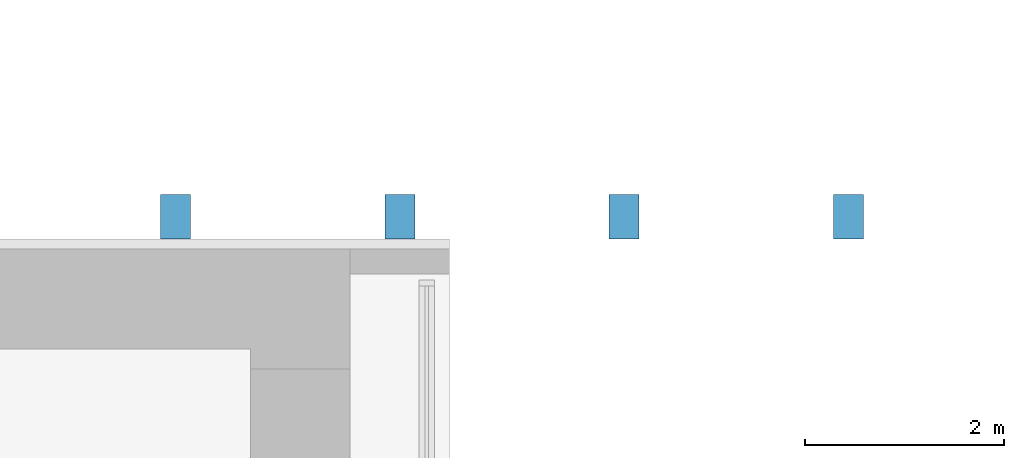
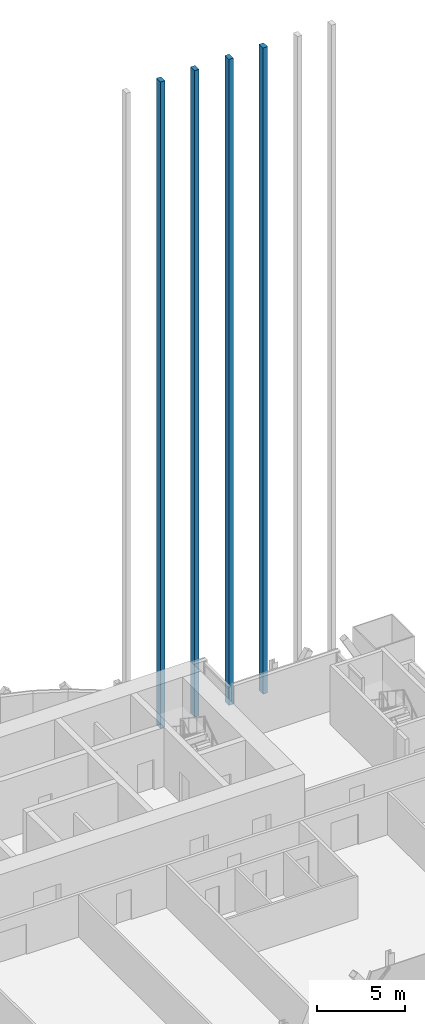
# One storey, part 18 of 29: 4 members, 1 element without a shape of its own.
"""IFC4 building model written with IfcOpenShell, lengths in metres."""

from ifc_helpers import new_model, si_unit, direction, frame, origin, origin_2d, place, context, subcontext, project, spatial, rectangle, extrude, material, material_profile, profile_set, type_object, element, aggregate, save


model = new_model("IFC4")

# Units and contexts
model_context = context("Model", 3, precision=1e-05, world=origin(), true_north=direction((0.0, 1.0)))
body_context = subcontext(model_context, "Body", "Model", "MODEL_VIEW")
ifc_project = project(units=[si_unit("LENGTHUNIT", "METRE"), si_unit("AREAUNIT", "SQUARE_METRE"), si_unit("VOLUMEUNIT", "CUBIC_METRE"), si_unit("PLANEANGLEUNIT", "RADIAN"), si_unit("MASSUNIT", "GRAM", prefix="KILO")], contexts=[model_context])

# Site, building, storey
site_placement = place(None, origin())
site = spatial("IfcSite", under=ifc_project, at=site_placement, CompositionType="ELEMENT")
building_placement = place(site_placement, origin())
building = spatial("IfcBuilding", under=site, at=building_placement, Name="Bicima Exchange Tower", CompositionType="ELEMENT")
storey_placement = place(building_placement, frame((0.0, 0.0, 190.89990234375)))
storey = spatial("IfcBuildingStorey", under=building, at=storey_placement, Name="L42", CompositionType="ELEMENT", Elevation=190.89990234375)

# Curtain wall, members
ifc_material = material(Name="Anodised bronze aluminium", Category="aluminium")
curtain_wall_type = type_object("IfcCurtainWallType", Name="Rear blade screen", PredefinedType="NOTDEFINED", material=ifc_material)
curtain_wall_placement = place(storey_placement, origin())
curtain_wall = element("IfcCurtainWall", 1, at=curtain_wall_placement, inside=storey, type_object=curtain_wall_type, Name="Rear blade screen L42-L52 E", PredefinedType="NOTDEFINED")
ifc_material_profile = material_profile(ifc_material, rectangle(XDim=0.449951171875, YDim=0.300048828125, at=origin_2d()))
ifc_profile_set = profile_set([ifc_material_profile], Name="Anodised bronze aluminium")
member_type = type_object("IfcMemberType", Name="Rear blade fin 450 x 300", PredefinedType="USERDEFINED", material=ifc_profile_set)
member_1_placement = place(storey_placement, frame((20.25, 0.324951171875, 0.0), z_axis=(0.0, 0.0, 1.0), x_axis=(0.0, 1.0, 0.0)))
member_1 = element("IfcMember", 2, at=member_1_placement, type_object=member_type, Name="Rear blade fin L42-L52 14", ObjectType="FIN", PredefinedType="USERDEFINED", context=body_context, shape_type="SweptSolid", body=[
    extrude(rectangle(XDim=0.449951171875, YDim=0.300048828125, at=origin_2d()), origin(), (0.0, 0.0, 1.0), 44.900146484375),
])
member_2_placement = place(storey_placement, frame((22.5, 0.324951171875, 0.0), z_axis=(0.0, 0.0, 1.0), x_axis=(0.0, 1.0, 0.0)))
member_2 = element("IfcMember", 3, at=member_2_placement, type_object=member_type, Name="Rear blade fin L42-L52 15", ObjectType="FIN", PredefinedType="USERDEFINED", context=body_context, shape_type="SweptSolid", body=[
    extrude(rectangle(XDim=0.449951171875, YDim=0.300048828125, at=origin_2d()), origin(), (0.0, 0.0, 1.0), 44.900146484375),
])
member_3_placement = place(storey_placement, frame((24.75, 0.324951171875, 0.0), z_axis=(0.0, 0.0, 1.0), x_axis=(0.0, 1.0, 0.0)))
member_3 = element("IfcMember", 4, at=member_3_placement, type_object=member_type, Name="Rear blade fin L42-L52 16", ObjectType="FIN", PredefinedType="USERDEFINED", context=body_context, shape_type="SweptSolid", body=[
    extrude(rectangle(XDim=0.449951171875, YDim=0.300048828125, at=origin_2d()), origin(), (0.0, 0.0, 1.0), 44.900146484375),
])
member_4_placement = place(storey_placement, frame((27.0, 0.324951171875, 0.0), z_axis=(0.0, 0.0, 1.0), x_axis=(0.0, 1.0, 0.0)))
member_4 = element("IfcMember", 5, at=member_4_placement, type_object=member_type, Name="Rear blade fin L42-L52 17", ObjectType="FIN", PredefinedType="USERDEFINED", context=body_context, shape_type="SweptSolid", body=[
    extrude(rectangle(XDim=0.449951171875, YDim=0.300048828125, at=origin_2d()), origin(), (0.0, 0.0, 1.0), 44.900146484375),
])
aggregate(curtain_wall, [member_1, member_2, member_3, member_4])

save(model, "model.ifc")
